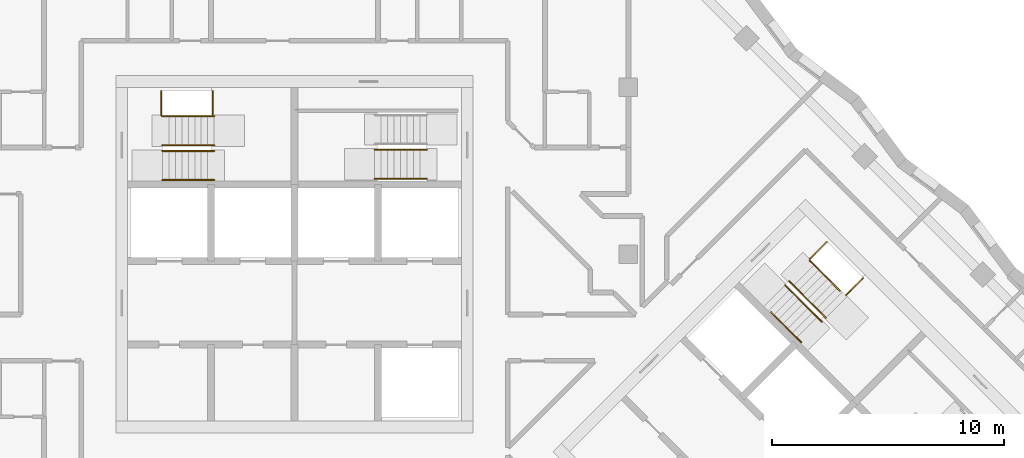
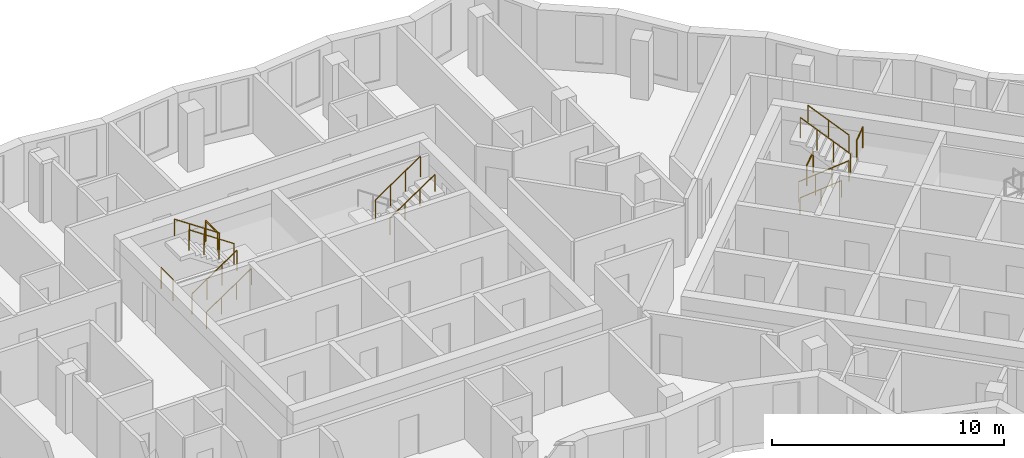
# One storey, part 10 of 12: 14 railings.
"""IFC4 building model written with IfcOpenShell, lengths in metres."""

from ifc_helpers import new_model, si_unit, direction, frame, origin, origin_2d, place, context, subcontext, project, spatial, circle, extrude, material, type_object, element, save


model = new_model("IFC4")

# Units and contexts
model_context = context("Model", 3, precision=1e-05, world=origin(), true_north=direction((0.0, 1.0)))
body_context = subcontext(model_context, "Body", "Model", "MODEL_VIEW")
ifc_project = project(units=[si_unit("LENGTHUNIT", "METRE"), si_unit("AREAUNIT", "SQUARE_METRE"), si_unit("VOLUMEUNIT", "CUBIC_METRE"), si_unit("PLANEANGLEUNIT", "RADIAN"), si_unit("MASSUNIT", "GRAM", prefix="KILO")], contexts=[model_context])

# Site, building, storey
site_placement = place(None, origin())
site = spatial("IfcSite", under=ifc_project, at=site_placement, CompositionType="ELEMENT")
building_placement = place(site_placement, origin())
building = spatial("IfcBuilding", under=site, at=building_placement, Name="Windrow Commons", CompositionType="ELEMENT")
storey_placement = place(building_placement, frame((0.0, 0.0, 210.0)))
storey = spatial("IfcBuildingStorey", under=building, at=storey_placement, Name="L57", CompositionType="ELEMENT", Elevation=210.0)

# Railings
ifc_material_1 = material(Name="Steel S355", Category="steel")
railing_type_1 = type_object("IfcRailingType", Name="Core stair guard 1100", PredefinedType="GUARDRAIL", material=ifc_material_1)
railing_1_placement = place(storey_placement, frame((59.1, 62.05, 0.1889)))
element("IfcRailing", 1, at=railing_1_placement, inside=storey, type_object=railing_type_1, Name="L57 ST-A1 stair guard 1", PredefinedType="GUARDRAIL", context=body_context, shape_type="SweptSolid", body=[
    extrude(circle(Radius=0.024, at=origin_2d()), frame((0.0, 0.0, 1.076), z_axis=(0.8290030985, 0.0, 0.5592440099), x_axis=(0.0, 1.0, 0.0)), (0.0, 0.0, 1.0), 2.702),
    extrude(circle(Radius=0.021, at=origin_2d()), origin(), (0.0, 0.0, 1.0), 1.052),
    extrude(circle(Radius=0.021, at=origin_2d()), frame((0.7467, 0.0, 0.5037)), (0.0, 0.0, 1.0), 1.052),
    extrude(circle(Radius=0.021, at=origin_2d()), frame((1.4933, 0.0, 1.0074)), (0.0, 0.0, 1.0), 1.052),
    extrude(circle(Radius=0.021, at=origin_2d()), frame((2.24, 0.0, 1.5111)), (0.0, 0.0, 1.0), 1.052),
])
railing_2_placement = place(storey_placement, frame((61.34, 62.3, 1.8889)))
element("IfcRailing", 2, at=railing_2_placement, inside=storey, type_object=railing_type_1, Name="L57 ST-A1 stair guard 2", PredefinedType="GUARDRAIL", context=body_context, shape_type="SweptSolid", body=[
    extrude(circle(Radius=0.024, at=origin_2d()), frame((0.0, 0.0, 1.076), z_axis=(-0.8290030985, 0.0, 0.5592440099), x_axis=(0.0, -1.0, 0.0)), (0.0, 0.0, 1.0), 2.702),
    extrude(circle(Radius=0.021, at=origin_2d()), origin(), (0.0, 0.0, 1.0), 1.052),
    extrude(circle(Radius=0.021, at=origin_2d()), frame((-0.7467, 0.0, 0.5037)), (0.0, 0.0, 1.0), 1.052),
    extrude(circle(Radius=0.021, at=origin_2d()), frame((-1.4933, 0.0, 1.0074)), (0.0, 0.0, 1.0), 1.052),
    extrude(circle(Radius=0.021, at=origin_2d()), frame((-2.24, 0.0, 1.5111)), (0.0, 0.0, 1.0), 1.052),
])
for number, where, name in (
    (3, (59.05, 63.6, 0.0), "L57 ST-A1 stair guard 3"),
    (4, (61.27, 63.6, 1.7), "L57 ST-A1 stair guard 4"),
):
    element("IfcRailing", number, at=place(storey_placement, frame(where)), inside=storey, type_object=railing_type_1, Name=name, PredefinedType="GUARDRAIL", context=body_context, shape_type="SweptSolid", body=[
        extrude(circle(Radius=0.024, at=origin_2d()), frame((0.0, 0.0, 1.076), z_axis=(0.0, 1.0, 0.0), x_axis=(-1.0, 0.0, 0.0)), (0.0, 0.0, 1.0), 1.03),
        extrude(circle(Radius=0.021, at=origin_2d()), origin(), (0.0, 0.0, 1.0), 1.052),
        extrude(circle(Radius=0.021, at=origin_2d()), frame((0.0, 1.03, 0.0)), (0.0, 0.0, 1.0), 1.052),
    ])
railing_3_placement = place(storey_placement, frame((68.26, 62.105, 1.8889)))
element("IfcRailing", 5, at=railing_3_placement, inside=storey, type_object=railing_type_1, Name="L57 ST-A2 stair guard 2", PredefinedType="GUARDRAIL", context=body_context, shape_type="SweptSolid", body=[
    extrude(circle(Radius=0.024, at=origin_2d()), frame((0.0, 0.0, 1.076), z_axis=(0.8290030985, 0.0, 0.5592440099), x_axis=(0.0, 1.0, 0.0)), (0.0, 0.0, 1.0), 2.702),
    extrude(circle(Radius=0.021, at=origin_2d()), origin(), (0.0, 0.0, 1.0), 1.052),
    extrude(circle(Radius=0.021, at=origin_2d()), frame((0.7467, 0.0, 0.5037)), (0.0, 0.0, 1.0), 1.052),
    extrude(circle(Radius=0.021, at=origin_2d()), frame((1.4933, 0.0, 1.0074)), (0.0, 0.0, 1.0), 1.052),
    extrude(circle(Radius=0.021, at=origin_2d()), frame((2.24, 0.0, 1.5111)), (0.0, 0.0, 1.0), 1.052),
])
railing_4_placement = place(storey_placement, frame((85.9529, 56.2669, 0.1889)))
element("IfcRailing", 6, at=railing_4_placement, inside=storey, type_object=railing_type_1, Name="L57 ST-B1 stair guard 1", PredefinedType="GUARDRAIL", context=body_context, shape_type="SweptSolid", body=[
    extrude(circle(Radius=0.024, at=origin_2d()), frame((0.0, 0.0, 1.076), z_axis=(0.5861914914, -0.5861914914, 0.5592486664), x_axis=(0.7071067812, 0.7071067812, 0.0)), (0.0, 0.0, 1.0), 2.702),
    extrude(circle(Radius=0.021, at=origin_2d()), origin(), (0.0, 0.0, 1.0), 1.052),
    extrude(circle(Radius=0.021, at=origin_2d()), frame((0.528, -0.528, 0.5037)), (0.0, 0.0, 1.0), 1.052),
    extrude(circle(Radius=0.021, at=origin_2d()), frame((1.0559, -1.0559, 1.0074)), (0.0, 0.0, 1.0), 1.052),
    extrude(circle(Radius=0.021, at=origin_2d()), frame((1.5839, -1.5839, 1.5111)), (0.0, 0.0, 1.0), 1.052),
])
railing_5_placement = place(storey_placement, frame((87.7136, 54.8597, 1.8889)))
element("IfcRailing", 7, at=railing_5_placement, inside=storey, type_object=railing_type_1, Name="L57 ST-B1 stair guard 2", PredefinedType="GUARDRAIL", context=body_context, shape_type="SweptSolid", body=[
    extrude(circle(Radius=0.024, at=origin_2d()), frame((0.0, 0.0, 1.076), z_axis=(-0.5862030657, 0.5862030657, 0.5592244018), x_axis=(-0.7071067812, -0.7071067812, 0.0)), (0.0, 0.0, 1.0), 2.7021),
    extrude(circle(Radius=0.021, at=origin_2d()), origin(), (0.0, 0.0, 1.0), 1.052),
    extrude(circle(Radius=0.021, at=origin_2d()), frame((-0.528, 0.528, 0.5037)), (0.0, 0.0, 1.0), 1.052),
    extrude(circle(Radius=0.021, at=origin_2d()), frame((-1.056, 1.056, 1.0074)), (0.0, 0.0, 1.0), 1.052),
    extrude(circle(Radius=0.021, at=origin_2d()), frame((-1.584, 1.584, 1.5111)), (0.0, 0.0, 1.0), 1.052),
])
railing_6_placement = place(storey_placement, frame((87.0135, 57.3982, 0.0)))
element("IfcRailing", 8, at=railing_6_placement, inside=storey, type_object=railing_type_1, Name="L57 ST-B1 stair guard 3", PredefinedType="GUARDRAIL", context=body_context, shape_type="SweptSolid", body=[
    extrude(circle(Radius=0.024, at=origin_2d()), frame((0.0, 0.0, 1.076), z_axis=(0.7070582378, 0.7071553212, 0.0), x_axis=(-0.7071553212, 0.7070582378, 0.0)), (0.0, 0.0, 1.0), 1.03),
    extrude(circle(Radius=0.021, at=origin_2d()), origin(), (0.0, 0.0, 1.0), 1.052),
    extrude(circle(Radius=0.021, at=origin_2d()), frame((0.7283, 0.7284, 0.0)), (0.0, 0.0, 1.0), 1.052),
])
railing_7_placement = place(storey_placement, frame((88.5833, 55.8285, 1.7)))
element("IfcRailing", 9, at=railing_7_placement, inside=storey, type_object=railing_type_1, Name="L57 ST-B1 stair guard 4", PredefinedType="GUARDRAIL", context=body_context, shape_type="SweptSolid", body=[
    extrude(circle(Radius=0.024, at=origin_2d()), frame((0.0, 0.0, 1.076), z_axis=(0.7071067812, 0.7071067812, 0.0), x_axis=(-0.7071067812, 0.7071067812, 0.0)), (0.0, 0.0, 1.0), 1.03),
    extrude(circle(Radius=0.021, at=origin_2d()), origin(), (0.0, 0.0, 1.0), 1.052),
    extrude(circle(Radius=0.021, at=origin_2d()), frame((0.7283, 0.7283, 0.0)), (0.0, 0.0, 1.0), 1.052),
])
ifc_material_2 = material(Name="Steel S355", Category="steel")
railing_type_2 = type_object("IfcRailingType", Name="Core stair handrail 900", PredefinedType="HANDRAIL", material=ifc_material_2)
railing_8_placement = place(storey_placement, frame((59.1, 60.8, 0.1889)))
element("IfcRailing", 10, at=railing_8_placement, inside=storey, type_object=railing_type_2, Name="L57 ST-A1 stair handrail 1", PredefinedType="HANDRAIL", context=body_context, shape_type="SweptSolid", body=[
    extrude(circle(Radius=0.024, at=origin_2d()), frame((0.0, 0.0, 0.876), z_axis=(0.8290030985, 0.0, 0.5592440099), x_axis=(0.0, 1.0, 0.0)), (0.0, 0.0, 1.0), 2.702),
    extrude(circle(Radius=0.021, at=origin_2d()), origin(), (0.0, 0.0, 1.0), 0.852),
    extrude(circle(Radius=0.021, at=origin_2d()), frame((0.7467, 0.0, 0.5037)), (0.0, 0.0, 1.0), 0.852),
    extrude(circle(Radius=0.021, at=origin_2d()), frame((1.4933, 0.0, 1.0074)), (0.0, 0.0, 1.0), 0.852),
    extrude(circle(Radius=0.021, at=origin_2d()), frame((2.24, 0.0, 1.5111)), (0.0, 0.0, 1.0), 0.852),
])
railing_9_placement = place(storey_placement, frame((61.34, 63.55, 1.8889)))
element("IfcRailing", 11, at=railing_9_placement, inside=storey, type_object=railing_type_2, Name="L57 ST-A1 stair handrail 2", PredefinedType="HANDRAIL", context=body_context, shape_type="SweptSolid", body=[
    extrude(circle(Radius=0.024, at=origin_2d()), frame((0.0, 0.0, 0.876), z_axis=(-0.8290030985, 0.0, 0.5592440099), x_axis=(0.0, -1.0, 0.0)), (0.0, 0.0, 1.0), 2.702),
    extrude(circle(Radius=0.021, at=origin_2d()), origin(), (0.0, 0.0, 1.0), 0.852),
    extrude(circle(Radius=0.021, at=origin_2d()), frame((-0.7467, 0.0, 0.5037)), (0.0, 0.0, 1.0), 0.852),
    extrude(circle(Radius=0.021, at=origin_2d()), frame((-1.4933, 0.0, 1.0074)), (0.0, 0.0, 1.0), 0.852),
    extrude(circle(Radius=0.021, at=origin_2d()), frame((-2.24, 0.0, 1.5111)), (0.0, 0.0, 1.0), 0.852),
])
railing_10_placement = place(storey_placement, frame((68.26, 60.855, 1.8889)))
element("IfcRailing", 12, at=railing_10_placement, inside=storey, type_object=railing_type_2, Name="L57 ST-A2 stair handrail 2", PredefinedType="HANDRAIL", context=body_context, shape_type="SweptSolid", body=[
    extrude(circle(Radius=0.024, at=origin_2d()), frame((0.0, 0.0, 0.876), z_axis=(0.8290030985, 0.0, 0.5592440099), x_axis=(0.0, 1.0, 0.0)), (0.0, 0.0, 1.0), 2.702),
    extrude(circle(Radius=0.021, at=origin_2d()), origin(), (0.0, 0.0, 1.0), 0.852),
    extrude(circle(Radius=0.021, at=origin_2d()), frame((0.7467, 0.0, 0.5037)), (0.0, 0.0, 1.0), 0.852),
    extrude(circle(Radius=0.021, at=origin_2d()), frame((1.4933, 0.0, 1.0074)), (0.0, 0.0, 1.0), 0.852),
    extrude(circle(Radius=0.021, at=origin_2d()), frame((2.24, 0.0, 1.5111)), (0.0, 0.0, 1.0), 0.852),
])
railing_11_placement = place(storey_placement, frame((85.3518, 55.1001, 0.4587)))
element("IfcRailing", 13, at=railing_11_placement, inside=storey, type_object=railing_type_2, Name="L57 ST-B1 stair handrail 1", PredefinedType="HANDRAIL", context=body_context, shape_type="SweptSolid", body=[
    extrude(circle(Radius=0.024, at=origin_2d()), frame((0.0, 0.0, 0.876), z_axis=(0.586206706, -0.5861616513, 0.5592639952), x_axis=(0.7070796062, 0.7071339551, 0.0)), (0.0, 0.0, 1.0), 2.2195),
    extrude(circle(Radius=0.021, at=origin_2d()), origin(), (0.0, 0.0, 1.0), 0.852),
    extrude(circle(Radius=0.021, at=origin_2d()), frame((0.6506, -0.6505, 0.6206)), (0.0, 0.0, 1.0), 0.852),
    extrude(circle(Radius=0.021, at=origin_2d()), frame((1.3011, -1.301, 1.2413)), (0.0, 0.0, 1.0), 0.852),
])
railing_12_placement = place(storey_placement, frame((88.3146, 56.0265, 2.1587)))
element("IfcRailing", 14, at=railing_12_placement, inside=storey, type_object=railing_type_2, Name="L57 ST-B1 stair handrail 2", PredefinedType="HANDRAIL", context=body_context, shape_type="SweptSolid", body=[
    extrude(circle(Radius=0.024, at=origin_2d()), frame((0.0, 0.0, 0.876), z_axis=(-0.586206706, 0.5861616513, 0.5592639952), x_axis=(-0.7070796062, -0.7071339551, 0.0)), (0.0, 0.0, 1.0), 2.2195),
    extrude(circle(Radius=0.021, at=origin_2d()), origin(), (0.0, 0.0, 1.0), 0.852),
    extrude(circle(Radius=0.021, at=origin_2d()), frame((-0.6506, 0.6505, 0.6206)), (0.0, 0.0, 1.0), 0.852),
    extrude(circle(Radius=0.021, at=origin_2d()), frame((-1.3011, 1.301, 1.2413)), (0.0, 0.0, 1.0), 0.852),
])

save(model, "model.ifc")
